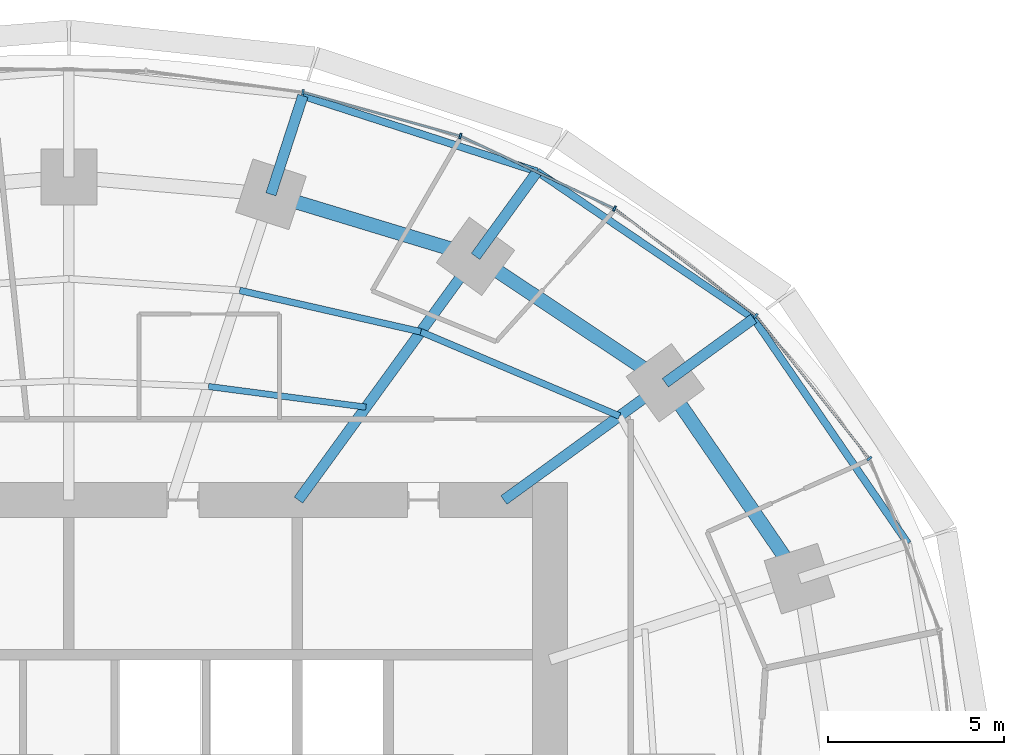
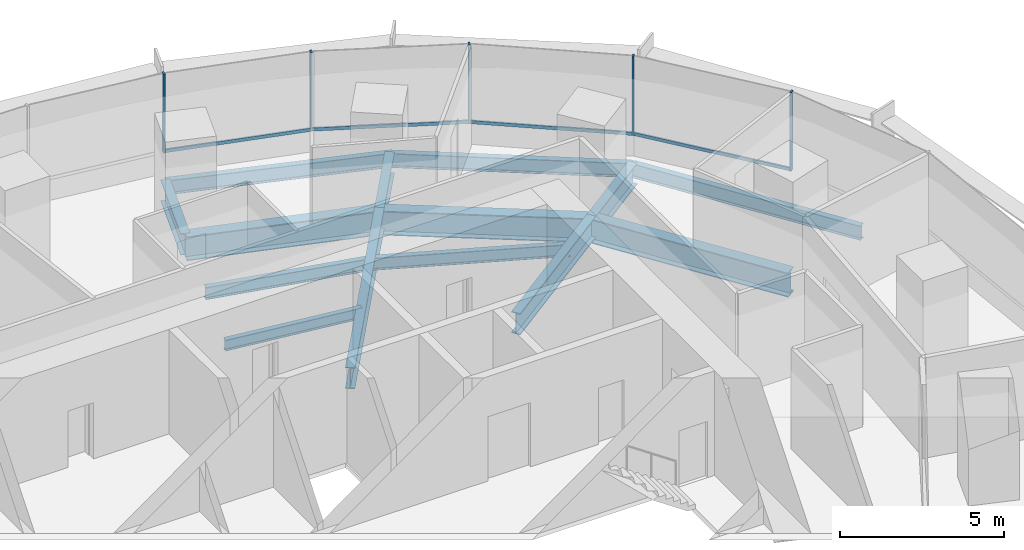
# One storey, part 8 of 14: 14 beams, 9 members, 2 elements without a shape of their own.
"""IFC4 building model written with IfcOpenShell, lengths in metres."""

from ifc_helpers import new_model, si_unit, direction, frame, origin, origin_2d, place, context, subcontext, project, spatial, rectangle, i_section, extrude, material, material_profile, profile_set, type_object, element, aggregate, save


model = new_model("IFC4")

# Units and contexts
model_context = context("Model", 3, precision=1e-05, world=origin(), true_north=direction((0.0, 1.0)))
body_context = subcontext(model_context, "Body", "Model", "MODEL_VIEW")
ifc_project = project(units=[si_unit("LENGTHUNIT", "METRE"), si_unit("AREAUNIT", "SQUARE_METRE"), si_unit("VOLUMEUNIT", "CUBIC_METRE"), si_unit("PLANEANGLEUNIT", "RADIAN"), si_unit("MASSUNIT", "GRAM", prefix="KILO")], contexts=[model_context])

# Site, building, storey
site_placement = place(None, origin())
site = spatial("IfcSite", under=ifc_project, at=site_placement, CompositionType="ELEMENT")
building_placement = place(site_placement, origin())
building = spatial("IfcBuilding", under=site, at=building_placement, Name="Marramba Exchange Tower", CompositionType="ELEMENT")
storey_placement = place(building_placement, frame((0.0, 0.0, 131.39990234375)))
storey = spatial("IfcBuildingStorey", under=building, at=storey_placement, Name="L31", CompositionType="ELEMENT", Elevation=131.39990234375)

# Beams
ifc_material_1 = material(Name="Steel AS/NZS 3679.2 grade 300", Category="steel")
ifc_material_profile_1 = material_profile(ifc_material_1, i_section(OverallWidth=0.300048828125, OverallDepth=0.800048828125, WebThickness=0.013916015625, FlangeThickness=0.031982421875, at=origin_2d()), Name="800WB192")
ifc_profile_set_1 = profile_set([ifc_material_profile_1], Name="Steel AS/NZS 3679.2 grade 300")
beam_type_1 = type_object("IfcBeamType", Name="Cantilever girder 800WB192", PredefinedType="BEAM", material=ifc_profile_set_1)
beam_1_placement = place(storey_placement, frame((16.98583984375, 12.3408203125, -0.559814453125), z_axis=(0.809013970709, 0.58778941399, 0.0), x_axis=(-0.58778941399, 0.809013970709, 0.0)))
element("IfcBeam", 1, at=beam_1_placement, inside=storey, type_object=beam_type_1, Name="Cantilever girder L31 TC03", PredefinedType="BEAM", context=body_context, shape_type="SweptSolid", body=[
    extrude(i_section(OverallWidth=0.300048828125, OverallDepth=0.800048828125, WebThickness=0.013916015625, FlangeThickness=0.031982421875, at=origin_2d()), origin(), (0.0, 0.0, 1.0), 3.1142578125),
])
beam_2_placement = place(storey_placement, frame((11.581298828125, 15.9404296875, -0.559814453125), z_axis=(0.587821738214, 0.808990484544, 0.0), x_axis=(-0.808990484544, 0.587821738214, 0.0)))
element("IfcBeam", 2, at=beam_2_placement, inside=storey, type_object=beam_type_1, Name="Cantilever girder L31 TC04", PredefinedType="BEAM", context=body_context, shape_type="SweptSolid", body=[
    extrude(i_section(OverallWidth=0.300048828125, OverallDepth=0.800048828125, WebThickness=0.013916015625, FlangeThickness=0.031982421875, at=origin_2d()), origin(), (0.0, 0.0, 1.0), 2.987060546875),
])
beam_3_placement = place(storey_placement, frame((5.75390625, 17.70849609375, -0.559814453125), z_axis=(0.309018704887, 0.951055960514, 0.0), x_axis=(-0.951055960514, 0.309018704887, 0.0)))
element("IfcBeam", 3, at=beam_3_placement, inside=storey, type_object=beam_type_1, Name="Cantilever girder L31 TC05", PredefinedType="BEAM", context=body_context, shape_type="SweptSolid", body=[
    extrude(i_section(OverallWidth=0.300048828125, OverallDepth=0.800048828125, WebThickness=0.013916015625, FlangeThickness=0.031982421875, at=origin_2d()), origin(), (0.0, 0.0, 1.0), 2.949951171875),
])
ifc_material_2 = material(Name="Steel AS/NZS 3679.1 grade 300", Category="steel")
ifc_material_profile_2 = material_profile(ifc_material_2, i_section(OverallWidth=0.177978515625, OverallDepth=0.406005859375, WebThickness=0.0078125, FlangeThickness=0.0126953125, FilletRadius=0.011474609375, at=origin_2d()), Name="410UB59.7")
ifc_profile_set_2 = profile_set([ifc_material_profile_2], Name="Steel AS/NZS 3679.1 grade 300")
beam_type_2 = type_object("IfcBeamType", Name="Floor joist 410UB59.7", PredefinedType="JOIST", material=ifc_profile_set_2)
beam_4_placement = place(storey_placement, frame((8.4619140625, 11.646728515625, -0.36279296875), z_axis=(-0.991480538255, 0.130254912618, 0.0), x_axis=(-0.130254912618, -0.991480538255, 0.0)))
element("IfcBeam", 4, at=beam_4_placement, inside=storey, type_object=beam_type_2, Name="Joist L31 bay 04 row 1", PredefinedType="JOIST", context=body_context, shape_type="SweptSolid", body=[
    extrude(i_section(OverallWidth=0.177978515625, OverallDepth=0.406005859375, WebThickness=0.0078125, FlangeThickness=0.0126953125, FilletRadius=0.011474609375, at=origin_2d()), origin(), (0.0, 0.0, 1.0), 4.524658203125),
])
ifc_material_profile_3 = material_profile(ifc_material_2, i_section(OverallWidth=0.18994140625, OverallDepth=0.4541015625, WebThickness=0.008544921875, FlangeThickness=0.0126953125, FilletRadius=0.011474609375, at=origin_2d()), Name="460UB67.1")
ifc_profile_set_3 = profile_set([ifc_material_profile_3], Name="Steel AS/NZS 3679.1 grade 300")
beam_type_3 = type_object("IfcBeamType", Name="Floor joist 460UB67.1", PredefinedType="JOIST", material=ifc_profile_set_3)
beam_5_placement = place(storey_placement, frame((15.682373046875, 11.393798828125, -0.386962890625), z_axis=(-0.920674336375, 0.390331610738, 0.0), x_axis=(-0.390331610738, -0.920674336375, 0.0)))
element("IfcBeam", 5, at=beam_5_placement, inside=storey, type_object=beam_type_3, Name="Joist L31 bay 03 row 2", PredefinedType="JOIST", context=body_context, shape_type="SweptSolid", body=[
    extrude(i_section(OverallWidth=0.18994140625, OverallDepth=0.4541015625, WebThickness=0.008544921875, FlangeThickness=0.0126953125, FilletRadius=0.011474609375, at=origin_2d()), origin(), (0.0, 0.0, 1.0), 6.1484375),
])
beam_6_placement = place(storey_placement, frame((10.021728515625, 13.793701171875, -0.386962890625), z_axis=(-0.974859652292, 0.222819788916, 0.0), x_axis=(-0.222819788916, -0.974859652292, 0.0)))
element("IfcBeam", 6, at=beam_6_placement, inside=storey, type_object=beam_type_3, Name="Joist L31 bay 04 row 2", PredefinedType="JOIST", context=body_context, shape_type="SweptSolid", body=[
    extrude(i_section(OverallWidth=0.18994140625, OverallDepth=0.4541015625, WebThickness=0.008544921875, FlangeThickness=0.0126953125, FilletRadius=0.011474609375, at=origin_2d()), origin(), (0.0, 0.0, 1.0), 5.2900390625),
])

# Curtain wall, members
ifc_material_3 = material(Name="Aluminium framing, bronze anodised", Category="aluminium")
curtain_wall_type = type_object("IfcCurtainWallType", Name="Office ribbon curtain wall", PredefinedType="USERDEFINED", material=ifc_material_3)
curtain_wall_1_placement = place(storey_placement, origin())
curtain_wall_1 = element("IfcCurtainWall", 7, at=curtain_wall_1_placement, inside=storey, type_object=curtain_wall_type, Name="Curtain wall CW4 L31 F01-F05", ObjectType="RIBBON CURTAIN WALL", PredefinedType="USERDEFINED")
ifc_material_4 = material(Name="Aluminium mullion, bronze anodised", Category="aluminium")
ifc_material_profile_4 = material_profile(ifc_material_4, rectangle(XDim=0.159912109375, YDim=0.06005859375, at=origin_2d()), Name="CW4 mullion 60x160")
ifc_profile_set_4 = profile_set([ifc_material_profile_4], Name="Aluminium mullion, bronze anodised")
member_type_1 = type_object("IfcMemberType", Name="Office ribbon curtain wall mullion", PredefinedType="MULLION", material=ifc_profile_set_4)
member_1_placement = place(storey_placement, frame((22.796630859375, 10.181640625, 0.800048828125), z_axis=(0.0, 0.0, 1.0), x_axis=(-0.783563266703, -0.621312004611, 0.0)))
member_1 = element("IfcMember", 8, at=member_1_placement, type_object=member_type_1, Name="CW4 mullion 1", PredefinedType="MULLION", context=body_context, shape_type="SweptSolid", body=[
    extrude(rectangle(XDim=0.159912109375, YDim=0.06005859375, at=origin_2d()), origin(), (0.0, 0.0, 1.0), 2.93994140625),
])
member_2_placement = place(storey_placement, frame((19.5625, 14.24853515625, 0.800048828125), z_axis=(0.0, 0.0, 1.0), x_axis=(-0.60533377223, -0.795971748366, 0.0)))
member_2 = element("IfcMember", 9, at=member_2_placement, type_object=member_type_1, Name="CW4 mullion 1", PredefinedType="MULLION", context=body_context, shape_type="SweptSolid", body=[
    extrude(rectangle(XDim=0.159912109375, YDim=0.06005859375, at=origin_2d()), origin(), (0.0, 0.0, 1.0), 2.93994140625),
])
member_3_placement = place(storey_placement, frame((15.538818359375, 17.300537109375, 0.800048828125), z_axis=(0.0, 0.0, 1.0), x_axis=(-0.426678995157, -0.904403137485, 0.0)))
member_3 = element("IfcMember", 10, at=member_3_placement, type_object=member_type_1, Name="CW4 mullion 1", PredefinedType="MULLION", context=body_context, shape_type="SweptSolid", body=[
    extrude(rectangle(XDim=0.159912109375, YDim=0.06005859375, at=origin_2d()), origin(), (0.0, 0.0, 1.0), 2.93994140625),
])

curtain_wall_2_placement = place(storey_placement, origin())
curtain_wall_2 = element("IfcCurtainWall", 11, at=curtain_wall_2_placement, inside=storey, type_object=curtain_wall_type, Name="Curtain wall CW4 L31 F06-F10", ObjectType="RIBBON CURTAIN WALL", PredefinedType="USERDEFINED")
member_4_placement = place(storey_placement, frame((11.147705078125, 19.366455078125, 0.800048828125), z_axis=(0.0, 0.0, 1.0), x_axis=(-0.268865090816, -0.963177845956, 0.0)))
member_4 = element("IfcMember", 12, at=member_4_placement, type_object=member_type_1, Name="CW4 mullion 1", PredefinedType="MULLION", context=body_context, shape_type="SweptSolid", body=[
    extrude(rectangle(XDim=0.159912109375, YDim=0.06005859375, at=origin_2d()), origin(), (0.0, 0.0, 1.0), 2.93994140625),
])
member_5_placement = place(storey_placement, frame((6.66650390625, 20.61328125, 0.800048828125), z_axis=(0.0, 0.0, 1.0), x_axis=(-0.135785837319, -0.990738212841, 0.0)))
member_5 = element("IfcMember", 13, at=member_5_placement, type_object=member_type_1, Name="CW4 mullion 1", PredefinedType="MULLION", context=body_context, shape_type="SweptSolid", body=[
    extrude(rectangle(XDim=0.159912109375, YDim=0.06005859375, at=origin_2d()), origin(), (0.0, 0.0, 1.0), 2.93994140625),
])

# Member
ifc_material_5 = material(Name="Aluminium transom, bronze anodised", Category="aluminium")
ifc_material_profile_5 = material_profile(ifc_material_5, rectangle(XDim=0.06005859375, YDim=0.1201171875, at=origin_2d()), Name="CW4 transom 60x120")
ifc_profile_set_5 = profile_set([ifc_material_profile_5], Name="Aluminium transom, bronze anodised")
member_type_2 = type_object("IfcMemberType", Name="Office ribbon curtain wall transom", PredefinedType="USERDEFINED", material=ifc_profile_set_5)
member_6_placement = place(storey_placement, frame((22.778076171875, 10.205078125, 0.830078125), z_axis=(-0.621339379472, 0.783541559534, 0.0), x_axis=(-0.783541559534, -0.621339379472, 0.0)))
member_6 = element("IfcMember", 14, at=member_6_placement, type_object=member_type_2, Name="CW4 sill transom", ObjectType="TRANSOM", PredefinedType="USERDEFINED", context=body_context, shape_type="SweptSolid", body=[
    extrude(rectangle(XDim=0.06005859375, YDim=0.1201171875, at=origin_2d()), origin(), (0.0, 0.0, 1.0), 5.13720703125),
])

member_7_placement = place(storey_placement, frame((19.53857421875, 14.2666015625, 0.830078125), z_axis=(-0.7959906025, 0.605308979556, 0.0), x_axis=(-0.605308979556, -0.7959906025, 0.0)))
member_7 = element("IfcMember", 15, at=member_7_placement, type_object=member_type_2, Name="CW4 sill transom", ObjectType="TRANSOM", PredefinedType="USERDEFINED", context=body_context, shape_type="SweptSolid", body=[
    extrude(rectangle(XDim=0.06005859375, YDim=0.1201171875, at=origin_2d()), origin(), (0.0, 0.0, 1.0), 4.99072265625),
])

member_8_placement = place(storey_placement, frame((15.51171875, 17.313232421875, 0.830078125), z_axis=(-0.904410826824, 0.426662696193, 0.0), x_axis=(-0.426662696193, -0.904410826824, 0.0)))
member_8 = element("IfcMember", 16, at=member_8_placement, type_object=member_type_2, Name="CW4 sill transom", ObjectType="TRANSOM", PredefinedType="USERDEFINED", context=body_context, shape_type="SweptSolid", body=[
    extrude(rectangle(XDim=0.06005859375, YDim=0.1201171875, at=origin_2d()), origin(), (0.0, 0.0, 1.0), 4.79345703125),
])

aggregate(curtain_wall_1, [member_1, member_6, member_2, member_7, member_3, member_8])

member_9_placement = place(storey_placement, frame((11.118896484375, 19.37451171875, 0.830078125), z_axis=(-0.963173567938, 0.268880415847, 0.0), x_axis=(-0.268880415847, -0.963173567938, 0.0)))
member_9 = element("IfcMember", 17, at=member_9_placement, type_object=member_type_2, Name="CW4 sill transom", ObjectType="TRANSOM", PredefinedType="USERDEFINED", context=body_context, shape_type="SweptSolid", body=[
    extrude(rectangle(XDim=0.06005859375, YDim=0.1201171875, at=origin_2d()), origin(), (0.0, 0.0, 1.0), 4.591796875),
])

aggregate(curtain_wall_2, [member_4, member_9, member_5])

# Beams
ifc_material_profile_6 = material_profile(ifc_material_1, i_section(OverallWidth=0.300048828125, OverallDepth=0.800048828125, WebThickness=0.013916015625, FlangeThickness=0.031982421875, at=origin_2d()), Name="800WB192")
ifc_profile_set_6 = profile_set([ifc_material_profile_6], Name="Steel AS/NZS 3679.2 grade 300")
beam_type_4 = type_object("IfcBeamType", Name="Radial girder 800WB192", PredefinedType="BEAM", material=ifc_profile_set_6)
beam_7_placement = place(storey_placement, frame((12.387451171875, 9.0, -0.559814453125), z_axis=(0.809025746925, 0.587773205252, 0.0), x_axis=(-0.587773205252, 0.809025746925, 0.0)))
element("IfcBeam", 18, at=beam_7_placement, inside=storey, type_object=beam_type_4, Name="Radial girder L31 TC03", PredefinedType="BEAM", context=body_context, shape_type="SweptSolid", body=[
    extrude(i_section(OverallWidth=0.300048828125, OverallDepth=0.800048828125, WebThickness=0.013916015625, FlangeThickness=0.031982421875, at=origin_2d()), origin(), (0.0, 0.0, 1.0), 5.683837890625),
])
beam_8_placement = place(storey_placement, frame((6.538818359375, 9.0, -0.559814453125), z_axis=(0.587782439969, 0.80901903764, 0.0), x_axis=(-0.80901903764, 0.587782439969, 0.0)))
element("IfcBeam", 19, at=beam_8_placement, inside=storey, type_object=beam_type_4, Name="Radial girder L31 TC04", PredefinedType="BEAM", context=body_context, shape_type="SweptSolid", body=[
    extrude(i_section(OverallWidth=0.300048828125, OverallDepth=0.800048828125, WebThickness=0.013916015625, FlangeThickness=0.031982421875, at=origin_2d()), origin(), (0.0, 0.0, 1.0), 8.578857421875),
])
ifc_material_profile_7 = material_profile(ifc_material_1, i_section(OverallWidth=0.39990234375, OverallDepth=0.89990234375, WebThickness=0.01611328125, FlangeThickness=0.031982421875, at=origin_2d()), Name="900WB282")
ifc_profile_set_7 = profile_set([ifc_material_profile_7], Name="Steel AS/NZS 3679.2 grade 300")
beam_type_5 = type_object("IfcBeamType", Name="Ring beam 900WB282", PredefinedType="SPANDREL", material=ifc_profile_set_7)
beam_9_placement = place(storey_placement, frame((20.808349609375, 6.760986328125, -0.60986328125), z_axis=(-0.56516002054, 0.824981303535, 0.0), x_axis=(-0.824981303535, -0.56516002054, 0.0)))
element("IfcBeam", 20, at=beam_9_placement, inside=storey, type_object=beam_type_5, Name="Ring beam L31 TC02-TC03", PredefinedType="SPANDREL", context=body_context, shape_type="SweptSolid", body=[
    extrude(i_section(OverallWidth=0.39990234375, OverallDepth=0.89990234375, WebThickness=0.01611328125, FlangeThickness=0.031982421875, at=origin_2d()), origin(), (0.0, 0.0, 1.0), 6.763671875),
])
beam_10_placement = place(storey_placement, frame((16.98583984375, 12.3408203125, -0.60986328125), z_axis=(-0.832293151443, 0.554335737673, 0.0), x_axis=(-0.554335737673, -0.832293151443, 0.0)))
element("IfcBeam", 21, at=beam_10_placement, inside=storey, type_object=beam_type_5, Name="Ring beam L31 TC03-TC04", PredefinedType="SPANDREL", context=body_context, shape_type="SweptSolid", body=[
    extrude(i_section(OverallWidth=0.39990234375, OverallDepth=0.89990234375, WebThickness=0.01611328125, FlangeThickness=0.031982421875, at=origin_2d()), origin(), (0.0, 0.0, 1.0), 6.49365234375),
])
beam_11_placement = place(storey_placement, frame((11.581298828125, 15.9404296875, -0.60986328125), z_axis=(-0.956924542524, 0.290336735387, 0.0), x_axis=(-0.290336735387, -0.956924542524, 0.0)))
element("IfcBeam", 22, at=beam_11_placement, inside=storey, type_object=beam_type_5, Name="Ring beam L31 TC04-TC05", PredefinedType="SPANDREL", context=body_context, shape_type="SweptSolid", body=[
    extrude(i_section(OverallWidth=0.39990234375, OverallDepth=0.89990234375, WebThickness=0.01611328125, FlangeThickness=0.031982421875, at=origin_2d()), origin(), (0.0, 0.0, 1.0), 6.089599609375),
])
ifc_material_profile_8 = material_profile(ifc_material_2, i_section(OverallWidth=0.208984375, OverallDepth=0.528076171875, WebThickness=0.009521484375, FlangeThickness=0.01318359375, FilletRadius=0.013916015625, at=origin_2d()), Name="530UB82.0")
ifc_profile_set_8 = profile_set([ifc_material_profile_8], Name="Steel AS/NZS 3679.1 grade 300")
beam_type_6 = type_object("IfcBeamType", Name="Slab edge beam 530UB82.0", PredefinedType="SPANDREL", material=ifc_profile_set_8)
beam_12_placement = place(storey_placement, frame((23.89501953125, 7.763916015625, -0.423828125), z_axis=(-0.56517400038, 0.824971726361, 0.0), x_axis=(-0.824971726361, -0.56517400038, 0.0)))
element("IfcBeam", 23, at=beam_12_placement, inside=storey, type_object=beam_type_6, Name="Slab edge beam L31 TC02-TC03", PredefinedType="SPANDREL", context=body_context, shape_type="SweptSolid", body=[
    extrude(i_section(OverallWidth=0.208984375, OverallDepth=0.528076171875, WebThickness=0.009521484375, FlangeThickness=0.01318359375, FilletRadius=0.013916015625, at=origin_2d()), origin(), (0.0, 0.0, 1.0), 7.766845703125),
])
beam_13_placement = place(storey_placement, frame((19.50537109375, 14.17138671875, -0.423828125), z_axis=(-0.827477404833, 0.561499015574, 0.0), x_axis=(-0.561499015574, -0.827477404833, 0.0)))
element("IfcBeam", 24, at=beam_13_placement, inside=storey, type_object=beam_type_6, Name="Slab edge beam L31 TC03-TC04", PredefinedType="SPANDREL", context=body_context, shape_type="SweptSolid", body=[
    extrude(i_section(OverallWidth=0.208984375, OverallDepth=0.528076171875, WebThickness=0.009521484375, FlangeThickness=0.01318359375, FilletRadius=0.013916015625, at=origin_2d()), origin(), (0.0, 0.0, 1.0), 7.454345703125),
])
beam_14_placement = place(storey_placement, frame((13.337158203125, 18.35693359375, -0.423828125), z_axis=(-0.951496392577, 0.307659901373, 0.0), x_axis=(-0.307659901373, -0.951496392577, 0.0)))
element("IfcBeam", 25, at=beam_14_placement, inside=storey, type_object=beam_type_6, Name="Slab edge beam L31 TC04-TC05", PredefinedType="SPANDREL", context=body_context, shape_type="SweptSolid", body=[
    extrude(i_section(OverallWidth=0.208984375, OverallDepth=0.528076171875, WebThickness=0.009521484375, FlangeThickness=0.01318359375, FilletRadius=0.013916015625, at=origin_2d()), origin(), (0.0, 0.0, 1.0), 7.01171875),
])

save(model, "model.ifc")
